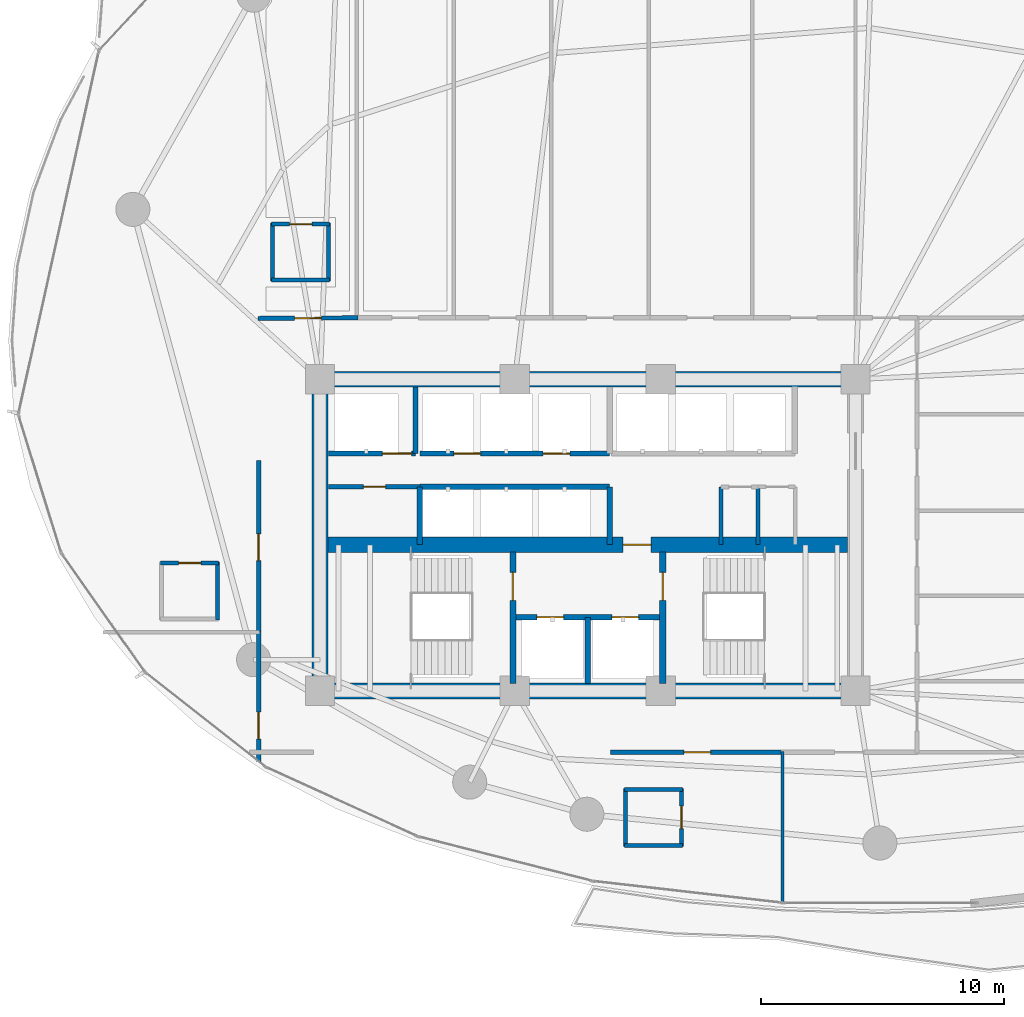
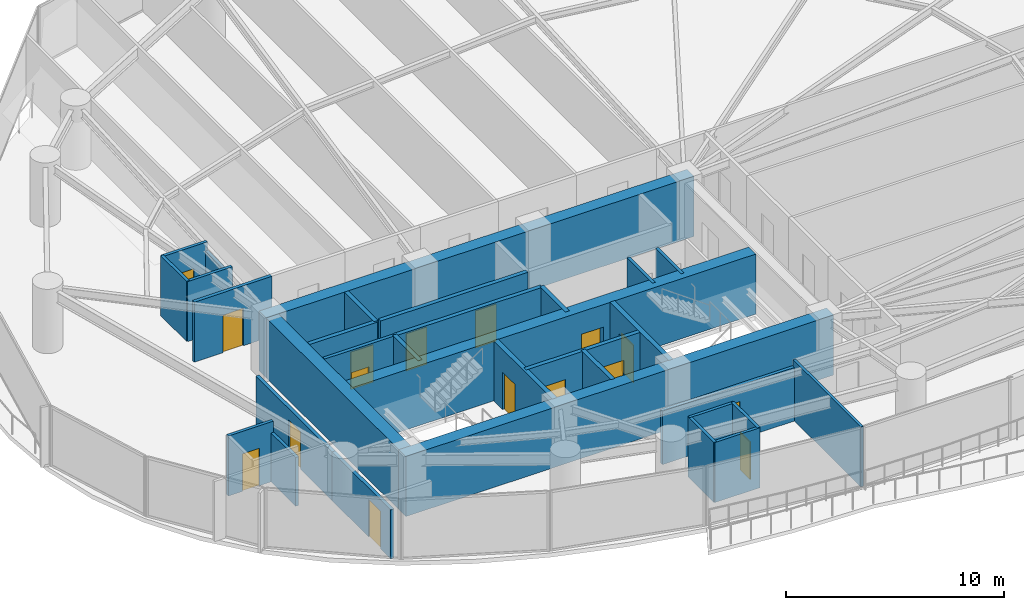
# One storey, part 26 of 33: 32 walls, 16 doors, 16 openings.
"""IFC4 building model written with IfcOpenShell, lengths in metres."""

import ifcopenshell
import ifcopenshell.guid

model = None  # the IFC model being written
_history = None  # IfcOwnerHistory: only IFC2X3 demands one
_inside = {}  # id of a spatial element -> (the spatial element, [elements in it])
_under = {}  # id of a project, library or spatial element -> (it, [spatial elements below it])
_declared = {}  # id of a project -> (the project, [libraries it declares])
_typed = {}  # id of a type object -> (the type object, [elements of that type])
_made_of = {}  # id of a material, layer set ... -> (it, [elements and type objects made of it])


def new_model(schema):
    """Start an empty IFC model of exactly this schema.

    Asked for "IFC4X3", IfcOpenShell would pick the latest addendum, in which some entities
    have other attributes; the version numbers below select the first issue.
    IFC2X3 requires an IfcOwnerHistory on every rooted entity: one is made here for all.
    """
    global model, _history
    if schema == "IFC4X3":
        model = ifcopenshell.file(schema_version=(4, 3, 0, 0))
    else:
        model = ifcopenshell.file(schema=schema)
    _inside.clear()
    _under.clear()
    _declared.clear()
    _typed.clear()
    _made_of.clear()
    _history = None
    if model.schema == "IFC2X3":
        org = make("IfcOrganization", Name="unknown")
        user = make(
            "IfcPersonAndOrganization",
            ThePerson=make("IfcPerson", FamilyName="unknown"),
            TheOrganization=org,
        )
        app = make(
            "IfcApplication",
            ApplicationDeveloper=org,
            Version="unknown",
            ApplicationFullName="unknown",
            ApplicationIdentifier="unknown",
        )
        _history = make(
            "IfcOwnerHistory",
            OwningUser=user,
            OwningApplication=app,
            ChangeAction="ADDED",
            CreationDate=0,
        )
    return model


def make(cls, **values):
    """One entity of the class cls with the attributes given. An attribute that is None is left unset."""
    return model.create_entity(
        cls, **{name: value for name, value in values.items() if value is not None}
    )


def rooted(cls, **values):
    """An entity with a GlobalId (a new one), such as an element, a storey or a relation."""
    return make(cls, GlobalId=ifcopenshell.guid.new(), OwnerHistory=_history, **values)


def si_unit(unit_type, name, prefix=None):
    """IfcSIUnit, for example si_unit("LENGTHUNIT", "METRE", prefix="MILLI")."""
    return make("IfcSIUnit", UnitType=unit_type, Prefix=prefix, Name=name)


def assignment(units):
    """IfcUnitAssignment: the units of a project."""
    return None if units is None else make("IfcUnitAssignment", Units=units)


def point(xyz):
    """IfcCartesianPoint."""
    return None if xyz is None else make("IfcCartesianPoint", Coordinates=xyz)


def direction(xyz):
    """IfcDirection."""
    return None if xyz is None else make("IfcDirection", DirectionRatios=xyz)


def frame(location, z_axis=None, x_axis=None):
    """IfcAxis2Placement3D, a coordinate frame: its origin and axes. An axis left out is left unset."""
    return make(
        "IfcAxis2Placement3D",
        Location=point(location),
        Axis=direction(z_axis),
        RefDirection=direction(x_axis),
    )


def frame_2d(location, x_axis=None):
    """IfcAxis2Placement2D, a coordinate frame in the plane: its origin and x axis."""
    return make(
        "IfcAxis2Placement2D", Location=point(location), RefDirection=direction(x_axis)
    )


def origin():
    """The frame at (0, 0, 0) with its axes left unset."""
    return frame((0.0, 0.0, 0.0))


def place(relative_to, where):
    """IfcLocalPlacement: puts the frame where relative to a parent placement (None: the world)."""
    return make(
        "IfcLocalPlacement", PlacementRelTo=relative_to, RelativePlacement=where
    )


def context(
    kind, dimensions, precision=None, world=None, true_north=None, identifier=None
):
    """IfcGeometricRepresentationContext, for example the 3D "Model" context."""
    return make(
        "IfcGeometricRepresentationContext",
        ContextIdentifier=identifier,
        ContextType=kind,
        CoordinateSpaceDimension=dimensions,
        Precision=precision,
        WorldCoordinateSystem=world,
        TrueNorth=true_north,
    )


def subcontext(parent, identifier, kind, view, scale=None):
    """IfcGeometricRepresentationSubContext, for example "Body" below "Model"."""
    return make(
        "IfcGeometricRepresentationSubContext",
        ContextIdentifier=identifier,
        ContextType=kind,
        ParentContext=parent,
        TargetScale=scale,
        TargetView=view,
    )


def project(units=None, contexts=None):
    """IfcProject with its units and contexts."""
    return rooted(
        "IfcProject",
        Name="project",
        RepresentationContexts=contexts,
        UnitsInContext=assignment(units),
    )


def spatial(cls, under=None, at=None, **own):
    """A site, building, storey or space (cls), placed at a placement, below another one or the project."""
    s = rooted(cls, ObjectPlacement=at, **own)
    if under is not None:
        _under.setdefault(under.id(), (under, []))[1].append(s)
    return s


def profile(cls, at=None, kind="AREA", **sizes):
    """A parametric profile (cls). Its sizes go by their IFC names, for example OverallWidth=200.0."""
    return make(cls, ProfileType=kind, Position=at, **sizes)


def rectangle(**sizes):
    """IfcRectangleProfileDef."""
    return profile("IfcRectangleProfileDef", **sizes)


def extrude(swept, where, along, depth):
    """IfcExtrudedAreaSolid: the profile swept, set in the frame where, extruded along a direction by depth."""
    return make(
        "IfcExtrudedAreaSolid",
        SweptArea=swept,
        Position=where,
        ExtrudedDirection=direction(along),
        Depth=depth,
    )


def shape(context_of_items, identifier, shape_type, items):
    """IfcShapeRepresentation: the items that make up one representation, for example the "Body"."""
    return make(
        "IfcShapeRepresentation",
        ContextOfItems=context_of_items,
        RepresentationIdentifier=identifier,
        RepresentationType=shape_type,
        Items=items,
    )


def material(Name=None, Category=None):
    """IfcMaterial."""
    return make("IfcMaterial", Name=Name, Category=Category)


def layer(
    of_material, thickness, ventilated=None, Name=None, Category=None, Priority=None
):
    """IfcMaterialLayer: one layer of a wall or slab, of a material (None: an air gap)."""
    return make(
        "IfcMaterialLayer",
        Material=of_material,
        LayerThickness=thickness,
        IsVentilated=ventilated,
        Name=Name,
        Category=Category,
        Priority=Priority,
    )


def layer_set(layers, Name=None):
    """IfcMaterialLayerSet."""
    return make("IfcMaterialLayerSet", MaterialLayers=layers, LayerSetName=Name)


def made_of(thing, what):
    """Note that an element or type object is made of a material, layer set ...; save() writes the relation."""
    if what is not None:
        _made_of.setdefault(what.id(), (what, []))[1].append(thing)
    return thing


def type_object(cls, material=None, **own):
    """A type object (cls), such as IfcWallType, which elements share."""
    return made_of(rooted(cls, **own), material)


def element(
    cls,
    number,
    at=None,
    inside=None,
    cuts=None,
    type_object=None,
    material=None,
    context=None,
    identifier="Body",
    shape_type=None,
    held_by="IfcProductDefinitionShape",
    body=None,
    shapes=None,
    **own,
):
    """One element of the class cls, such as IfcWall. Its Tag is "e" and its number.

    at: its placement. inside: the storey or other place that contains it. cuts: it is an
    opening in that element (IfcRelVoidsElement). A single representation is given by context,
    identifier, shape_type and body (its items); several are given by shapes. held_by: the class
    of the entity that holds the representations. save() writes the other relations.
    """
    e = rooted(cls, Tag="e%d" % number, ObjectPlacement=at, **own)
    if body is not None:
        shapes = [shape(context, identifier, shape_type, body)]
    if shapes is not None:
        e.Representation = make(held_by, Representations=shapes)
    if inside is not None:
        _inside.setdefault(inside.id(), (inside, []))[1].append(e)
    if cuts is not None:
        rooted(
            "IfcRelVoidsElement", RelatingBuildingElement=cuts, RelatedOpeningElement=e
        )
    if type_object is not None:
        _typed.setdefault(type_object.id(), (type_object, []))[1].append(e)
    return made_of(e, material)


def fill(opening, filler):
    """IfcRelFillsElement: the door or window that sits in an opening."""
    return rooted(
        "IfcRelFillsElement",
        RelatingOpeningElement=opening,
        RelatedBuildingElement=filler,
    )


def aggregate(whole, parts):
    """IfcRelAggregates: a whole, such as a stair, and the parts it consists of."""
    return rooted("IfcRelAggregates", RelatingObject=whole, RelatedObjects=parts)


def save(model, path):
    """Write the relations noted so far, then the file.

    IfcRelAggregates (storeys below a building ...), IfcRelContainedInSpatialStructure (elements
    in a storey), IfcRelDefinesByType, IfcRelAssociatesMaterial and IfcRelDeclares: one each for
    every whole, place, type object, material and project.
    """
    for whole, parts in _under.values():
        aggregate(whole, parts)
    for where, things in _inside.values():
        rooted(
            "IfcRelContainedInSpatialStructure",
            RelatedElements=things,
            RelatingStructure=where,
        )
    for kind, things in _typed.values():
        rooted("IfcRelDefinesByType", RelatedObjects=things, RelatingType=kind)
    for what, things in _made_of.values():
        rooted("IfcRelAssociatesMaterial", RelatedObjects=things, RelatingMaterial=what)
    for by, libraries in _declared.values():
        rooted("IfcRelDeclares", RelatingContext=by, RelatedDefinitions=libraries)
    model.write(path)


model = new_model("IFC4")

# Units and contexts
model_context = context("Model", 3, precision=1e-05, world=origin(), true_north=direction((0.0, 1.0)))
body_context = subcontext(model_context, "Body", "Model", "MODEL_VIEW")
ifc_project = project(units=[si_unit("LENGTHUNIT", "METRE"), si_unit("AREAUNIT", "SQUARE_METRE"), si_unit("VOLUMEUNIT", "CUBIC_METRE"), si_unit("PLANEANGLEUNIT", "RADIAN"), si_unit("MASSUNIT", "GRAM", prefix="KILO")], contexts=[model_context])

# Site, building, storey
site_placement = place(None, origin())
site = spatial("IfcSite", under=ifc_project, at=site_placement, CompositionType="ELEMENT")
building_placement = place(site_placement, origin())
building = spatial("IfcBuilding", under=site, at=building_placement, Name="Kazevale Care Tower and Concert Hall", CompositionType="ELEMENT")
storey_placement = place(building_placement, frame((0.0, 0.0, 31.199951171875)))
storey = spatial("IfcBuildingStorey", under=building, at=storey_placement, Name="L07", CompositionType="ELEMENT", Elevation=31.199951171875)

# Walls
ifc_material_1 = material(Name="Acoustic Gypsum on Steel Stud", Category="steel")
ifc_layer_1 = layer(ifc_material_1, 0.139892578125)
ifc_layer_set_1 = layer_set([ifc_layer_1], Name="Acoustic Gypsum on Steel Stud")
wall_type_1 = type_object("IfcWallType", Name="Acoustic Care & Suite Partition 140", PredefinedType="PARTITIONING", material=ifc_layer_set_1)
wall_1_placement = place(storey_placement, frame((41.0, 21.10498046875, 0.0), z_axis=(0.0, 0.0, 1.0), x_axis=(0.0, -1.0, 0.0)))
element("IfcWall", 1, at=wall_1_placement, inside=storey, type_object=wall_type_1, Name="wall:L07:auto_030", PredefinedType="PARTITIONING", context=body_context, shape_type="SweptSolid", body=[
    extrude(rectangle(XDim=6.204833984375, YDim=0.139892578125, at=frame_2d((3.1025390625, 0.0))), origin(), (0.0, 0.0, 1.0), 3.360107421875),
])
ifc_material_2 = material(Name="Concrete C70", Category="concrete")
ifc_layer_2 = layer(ifc_material_2, 0.64990234375)
ifc_layer_set_2 = layer_set([ifc_layer_2], Name="Concrete C70")
wall_type_2 = type_object("IfcWallType", Name="Core Shear Wall 650 C70", PredefinedType="SHEAR", material=ifc_layer_set_2)
for number, where, z_axis, x_axis, name in (
    (2, (21.675048828125, 23.60009765625, 0.0), (0.0, 0.0, 1.0), (1.0, 0.0, 0.0), "wall:L07:core:S"),
    (3, (21.675048828125, 36.39990234375, 0.0), (0.0, 0.0, 1.0), (1.0, 0.0, 0.0), "wall:L07:core:N"),
):
    element("IfcWall", number, at=place(storey_placement, frame(where, z_axis=z_axis, x_axis=x_axis)), inside=storey, type_object=wall_type_2, Name=name, PredefinedType="SHEAR", context=body_context, shape_type="SweptSolid", body=[
        extrude(rectangle(XDim=22.64990234375, YDim=0.64990234375, at=frame_2d((11.324951171875, 0.0))), origin(), (0.0, 0.0, 1.0), 3.360107421875),
    ])
wall_2_placement = place(storey_placement, frame((22.0, 23.925048828125, 0.0), z_axis=(0.0, 0.0, 1.0), x_axis=(0.0, 1.0, 0.0)))
element("IfcWall", 4, at=wall_2_placement, inside=storey, type_object=wall_type_2, Name="wall:L07:core:W", PredefinedType="SHEAR", context=body_context, shape_type="SweptSolid", body=[
    extrude(rectangle(XDim=12.14990234375, YDim=0.64990234375, at=frame_2d((6.074951171875, 0.0))), origin(), (0.0, 0.0, 1.0), 3.360107421875),
])

# Wall, opening, door
wall_3_placement = place(storey_placement, frame((22.324951171875, 29.60009765625, 0.0), z_axis=(0.0, 0.0, 1.0), x_axis=(1.0, 0.0, 0.0)))
wall_3 = element("IfcWall", 5, at=wall_3_placement, inside=storey, type_object=wall_type_2, Name="wall:L07:core:M", PredefinedType="SHEAR", context=body_context, shape_type="SweptSolid", body=[
    extrude(rectangle(XDim=21.35009765625, YDim=0.64990234375, at=frame_2d((10.675048828125, 0.0))), origin(), (0.0, 0.0, 1.0), 3.360107421875),
])
opening_1_placement = place(wall_3_placement, frame((12.125, 0.0, 0.0)))
opening_1 = element("IfcOpeningElement", 6, at=opening_1_placement, cuts=wall_3, Name="Opening FD-90", PredefinedType="OPENING", context=body_context, shape_type="SweptSolid", body=[
    extrude(rectangle(XDim=1.14990234375, YDim=2.10009765625, at=frame_2d((0.574951171875, 1.050048828125))), frame((0.0, 0.3349609375, 0.0), z_axis=(0.0, -1.0, 0.0), x_axis=(1.0, 0.0, 0.0)), (0.0, 0.0, 1.0), 0.669921875),
])
ifc_material_3 = material(Name="Steel ASTM A572 Gr 50", Category="steel")
door_type_1 = type_object("IfcDoorType", Name="Pressurized Stair & Lobby Fire Door 1150x2100", OperationType="NOTDEFINED", PredefinedType="DOOR", material=ifc_material_3)
door_1_placement = place(opening_1_placement, origin())
door_1 = element("IfcDoor", 7, at=door_1_placement, inside=storey, type_object=door_type_1, Name="door:L07:ff_to_pax", OperationType="SINGLE_SWING_LEFT", OverallHeight=2.10009765625, OverallWidth=1.14990234375, PredefinedType="DOOR", context=body_context, shape_type="SweptSolid", body=[
    extrude(rectangle(XDim=1.14990234375, YDim=2.10009765625, at=frame_2d((0.574951171875, 1.050048828125))), frame((0.0, 0.02490234375, 0.0), z_axis=(0.0, -1.0, 0.0), x_axis=(1.0, 0.0, 0.0)), (0.0, 0.0, 1.0), 0.050048828125),
])
fill(opening_1, door_1)

# Wall, openings, doors
ifc_material_4 = material(Name="Concrete C40", Category="concrete")
ifc_layer_3 = layer(ifc_material_4, 0.219970703125)
ifc_layer_set_3 = layer_set([ifc_layer_3], Name="Concrete C40")
wall_type_3 = type_object("IfcWallType", Name="Elevator Hoistway Shaft Wall 220", PredefinedType="SOLIDWALL", material=ifc_layer_set_3)
wall_4_placement = place(storey_placement, frame((29.919921875, 26.6201171875, 0.0), z_axis=(0.0, 0.0, 1.0), x_axis=(1.0, 0.0, 0.0)))
wall_4 = element("IfcWall", 8, at=wall_4_placement, inside=storey, type_object=wall_type_3, Name="wall:L07:c_ffl_n", PredefinedType="SOLIDWALL", context=body_context, shape_type="SweptSolid", body=[
    extrude(rectangle(XDim=6.16015625, YDim=0.219970703125, at=frame_2d((3.080078125, 0.0))), origin(), (0.0, 0.0, 1.0), 3.360107421875),
])
opening_2_placement = place(wall_4_placement, frame((0.989990234375, 0.0, 0.0)))
opening_2 = element("IfcOpeningElement", 9, at=opening_2_placement, cuts=wall_4, Name="Opening LD-FF", PredefinedType="OPENING", context=body_context, shape_type="SweptSolid", body=[
    extrude(rectangle(XDim=1.10009765625, YDim=2.10009765625, at=frame_2d((0.550048828125, 1.050048828125))), frame((0.0, 0.119873046875, 0.0), z_axis=(0.0, -1.0, 0.0), x_axis=(1.0, 0.0, 0.0)), (0.0, 0.0, 1.0), 0.239990234375),
])
opening_3_placement = place(wall_4_placement, frame((4.070068359375, 0.0, 0.0)))
opening_3 = element("IfcOpeningElement", 10, at=opening_3_placement, cuts=wall_4, Name="Opening LD-FF", PredefinedType="OPENING", context=body_context, shape_type="SweptSolid", body=[
    extrude(rectangle(XDim=1.10009765625, YDim=2.10009765625, at=frame_2d((0.550048828125, 1.050048828125))), frame((0.0, 0.119873046875, 0.0), z_axis=(0.0, -1.0, 0.0), x_axis=(1.0, 0.0, 0.0)), (0.0, 0.0, 1.0), 0.239990234375),
])
ifc_material_5 = material(Name="Stainless Steel 316", Category="steel")
door_type_2 = type_object("IfcDoorType", Name="Emergency Lift Sliding Landing Door 1100x2100", OperationType="NOTDEFINED", PredefinedType="DOOR", material=ifc_material_5)
door_2_placement = place(opening_2_placement, origin())
door_2 = element("IfcDoor", 11, at=door_2_placement, inside=storey, type_object=door_type_2, Name="door:L07:ld_ffl1", OperationType="SLIDING_TO_LEFT", OverallHeight=2.10009765625, OverallWidth=1.10009765625, PredefinedType="DOOR", context=body_context, shape_type="SweptSolid", body=[
    extrude(rectangle(XDim=1.10009765625, YDim=2.10009765625, at=frame_2d((0.550048828125, 1.050048828125))), frame((0.0, 0.02490234375, 0.0), z_axis=(0.0, -1.0, 0.0), x_axis=(1.0, 0.0, 0.0)), (0.0, 0.0, 1.0), 0.050048828125),
])
fill(opening_2, door_2)
door_3_placement = place(opening_3_placement, origin())
door_3 = element("IfcDoor", 12, at=door_3_placement, inside=storey, type_object=door_type_2, Name="door:L07:ld_ffl2", OperationType="SLIDING_TO_RIGHT", OverallHeight=2.10009765625, OverallWidth=1.10009765625, PredefinedType="DOOR", context=body_context, shape_type="SweptSolid", body=[
    extrude(rectangle(XDim=1.10009765625, YDim=2.10009765625, at=frame_2d((0.550048828125, 1.050048828125))), frame((0.0, 0.02490234375, 0.0), z_axis=(0.0, -1.0, 0.0), x_axis=(1.0, 0.0, 0.0)), (0.0, 0.0, 1.0), 0.050048828125),
])
fill(opening_3, door_3)

# Walls
wall_5_placement = place(storey_placement, frame((33.0, 23.89990234375, 0.0), z_axis=(0.0, 0.0, 1.0), x_axis=(0.0, 1.0, 0.0)))
element("IfcWall", 13, at=wall_5_placement, inside=storey, type_object=wall_type_3, Name="wall:L07:c_ffl_m", PredefinedType="SOLIDWALL", context=body_context, shape_type="SweptSolid", body=[
    extrude(rectangle(XDim=2.72021484375, YDim=0.219970703125, at=frame_2d((1.360107421875, 0.0))), origin(), (0.0, 0.0, 1.0), 3.360107421875),
])
wall_6_placement = place(storey_placement, frame((25.919921875, 33.35009765625, 0.0), z_axis=(0.0, 0.0, 1.0), x_axis=(0.0, 1.0, 0.0)))
element("IfcWall", 14, at=wall_6_placement, inside=storey, type_object=wall_type_3, Name="wall:L07:c_svl_e", PredefinedType="SOLIDWALL", context=body_context, shape_type="SweptSolid", body=[
    extrude(rectangle(XDim=2.72998046875, YDim=0.219970703125, at=frame_2d((1.364990234375, 0.0))), origin(), (0.0, 0.0, 1.0), 3.360107421875),
])

# Wall, opening, door
wall_7_placement = place(storey_placement, frame((22.35009765625, 33.35009765625, 0.0), z_axis=(0.0, 0.0, 1.0), x_axis=(1.0, 0.0, 0.0)))
wall_7 = element("IfcWall", 15, at=wall_7_placement, inside=storey, type_object=wall_type_3, Name="wall:L07:c_svl_s", PredefinedType="SOLIDWALL", context=body_context, shape_type="SweptSolid", body=[
    extrude(rectangle(XDim=3.56982421875, YDim=0.219970703125, at=frame_2d((1.784912109375, 0.0))), origin(), (0.0, 0.0, 1.0), 3.360107421875),
])
opening_4_placement = place(wall_7_placement, frame((2.212890625, 0.0, 0.0)))
opening_4 = element("IfcOpeningElement", 16, at=opening_4_placement, cuts=wall_7, Name="Opening LD-SV", PredefinedType="OPENING", context=body_context, shape_type="SweptSolid", body=[
    extrude(rectangle(XDim=1.199951171875, YDim=2.10009765625, at=frame_2d((0.60009765625, 1.050048828125))), frame((0.0, 0.119873046875, 0.0), z_axis=(0.0, -1.0, 0.0), x_axis=(1.0, 0.0, 0.0)), (0.0, 0.0, 1.0), 0.239990234375),
])
door_type_3 = type_object("IfcDoorType", Name="Service Lift Sliding Landing Door 1200x2100", OperationType="NOTDEFINED", PredefinedType="DOOR", material=ifc_material_5)
door_4_placement = place(opening_4_placement, origin())
door_4 = element("IfcDoor", 17, at=door_4_placement, inside=storey, type_object=door_type_3, Name="door:L07:ld_svl1", OperationType="SLIDING_TO_LEFT", OverallHeight=2.10009765625, OverallWidth=1.199951171875, PredefinedType="DOOR", context=body_context, shape_type="SweptSolid", body=[
    extrude(rectangle(XDim=1.199951171875, YDim=2.10009765625, at=frame_2d((0.60009765625, 1.050048828125))), frame((0.0, 0.02490234375, 0.0), z_axis=(0.0, -1.0, 0.0), x_axis=(1.0, 0.0, 0.0)), (0.0, 0.0, 1.0), 0.050048828125),
])
fill(opening_4, door_4)

# Walls
wall_8_placement = place(storey_placement, frame((26.10009765625, 29.6201171875, 0.0), z_axis=(0.0, 0.0, 1.0), x_axis=(0.0, 1.0, 0.0)))
element("IfcWall", 18, at=wall_8_placement, inside=storey, type_object=wall_type_3, Name="wall:L07:c_ph_w", PredefinedType="SOLIDWALL", context=body_context, shape_type="SweptSolid", body=[
    extrude(rectangle(XDim=2.35986328125, YDim=0.219970703125, at=frame_2d((1.179931640625, 0.0))), origin(), (0.0, 0.0, 1.0), 3.360107421875),
])
wall_9_placement = place(storey_placement, frame((26.10009765625, 31.97998046875, 0.0), z_axis=(0.0, 0.0, 1.0), x_axis=(1.0, 0.0, 0.0)))
element("IfcWall", 19, at=wall_9_placement, inside=storey, type_object=wall_type_3, Name="wall:L07:c_ph_n", PredefinedType="SOLIDWALL", context=body_context, shape_type="SweptSolid", body=[
    extrude(rectangle(XDim=7.7998046875, YDim=0.219970703125, at=frame_2d((3.89990234375, 0.0))), origin(), (0.0, 0.0, 1.0), 3.360107421875),
])
wall_10_placement = place(storey_placement, frame((33.89990234375, 29.6201171875, 0.0), z_axis=(0.0, 0.0, 1.0), x_axis=(0.0, 1.0, 0.0)))
element("IfcWall", 20, at=wall_10_placement, inside=storey, type_object=wall_type_3, Name="wall:L07:c_ph_e", PredefinedType="SOLIDWALL", context=body_context, shape_type="SweptSolid", body=[
    extrude(rectangle(XDim=2.35986328125, YDim=0.219970703125, at=frame_2d((1.179931640625, 0.0))), origin(), (0.0, 0.0, 1.0), 3.360107421875),
])

# Wall, openings, doors
wall_11_placement = place(storey_placement, frame((26.10009765625, 33.35009765625, 0.0), z_axis=(0.0, 0.0, 1.0), x_axis=(1.0, 0.0, 0.0)))
wall_11 = element("IfcWall", 21, at=wall_11_placement, inside=storey, type_object=wall_type_3, Name="wall:L07:c_pl_s", PredefinedType="SOLIDWALL", context=body_context, shape_type="SweptSolid", body=[
    extrude(rectangle(XDim=7.7998046875, YDim=0.219970703125, at=frame_2d((3.89990234375, 0.0))), origin(), (0.0, 0.0, 1.0), 3.360107421875),
])
opening_5_placement = place(wall_11_placement, frame((1.39990234375, 0.0, 0.0)))
opening_5 = element("IfcOpeningElement", 22, at=opening_5_placement, cuts=wall_11, Name="Opening LD-PAX", PredefinedType="OPENING", context=body_context, shape_type="SweptSolid", body=[
    extrude(rectangle(XDim=1.10009765625, YDim=2.10009765625, at=frame_2d((0.550048828125, 1.050048828125))), frame((0.0, 0.119873046875, 0.0), z_axis=(0.0, -1.0, 0.0), x_axis=(1.0, 0.0, 0.0)), (0.0, 0.0, 1.0), 0.239990234375),
])
opening_6_placement = place(wall_11_placement, frame((5.06591796875, 0.0, 0.0)))
opening_6 = element("IfcOpeningElement", 23, at=opening_6_placement, cuts=wall_11, Name="Opening LD-PAX", PredefinedType="OPENING", context=body_context, shape_type="SweptSolid", body=[
    extrude(rectangle(XDim=1.10009765625, YDim=2.10009765625, at=frame_2d((0.550048828125, 1.050048828125))), frame((0.0, 0.119873046875, 0.0), z_axis=(0.0, -1.0, 0.0), x_axis=(1.0, 0.0, 0.0)), (0.0, 0.0, 1.0), 0.239990234375),
])
door_type_4 = type_object("IfcDoorType", Name="Passenger Lift Sliding Landing Door 1100x2100", OperationType="NOTDEFINED", PredefinedType="DOOR", material=ifc_material_5)
door_5_placement = place(opening_5_placement, origin())
door_5 = element("IfcDoor", 24, at=door_5_placement, inside=storey, type_object=door_type_4, Name="door:L07:ld_pl1", OperationType="SLIDING_TO_LEFT", OverallHeight=2.10009765625, OverallWidth=1.10009765625, PredefinedType="DOOR", context=body_context, shape_type="SweptSolid", body=[
    extrude(rectangle(XDim=1.10009765625, YDim=2.10009765625, at=frame_2d((0.550048828125, 1.050048828125))), frame((0.0, 0.02490234375, 0.0), z_axis=(0.0, -1.0, 0.0), x_axis=(1.0, 0.0, 0.0)), (0.0, 0.0, 1.0), 0.050048828125),
])
fill(opening_5, door_5)
door_6_placement = place(opening_6_placement, origin())
door_6 = element("IfcDoor", 25, at=door_6_placement, inside=storey, type_object=door_type_4, Name="door:L07:ld_pl2", OperationType="SLIDING_TO_RIGHT", OverallHeight=2.10009765625, OverallWidth=1.10009765625, PredefinedType="DOOR", context=body_context, shape_type="SweptSolid", body=[
    extrude(rectangle(XDim=1.10009765625, YDim=2.10009765625, at=frame_2d((0.550048828125, 1.050048828125))), frame((0.0, 0.02490234375, 0.0), z_axis=(0.0, -1.0, 0.0), x_axis=(1.0, 0.0, 0.0)), (0.0, 0.0, 1.0), 0.050048828125),
])
fill(opening_6, door_6)

# Wall, opening, door
ifc_material_6 = material(Name="Concrete C40 and Acoustic Gypsum", Category="concrete")
ifc_layer_4 = layer(ifc_material_6, 0.179931640625)
ifc_layer_set_4 = layer_set([ifc_layer_4], Name="Concrete C40 and Acoustic Gypsum")
wall_type_4 = type_object("IfcWallType", Name="Fire-Rated Corridor & Party Wall 180", PredefinedType="PARTITIONING", material=ifc_layer_set_4)
wall_12_placement = place(storey_placement, frame((22.35009765625, 31.97998046875, 0.0), z_axis=(0.0, 0.0, 1.0), x_axis=(1.0, 0.0, 0.0)))
wall_12 = element("IfcWall", 26, at=wall_12_placement, inside=storey, type_object=wall_type_4, Name="wall:L07:ka_wn1", PredefinedType="PARTITIONING", context=body_context, shape_type="SweptSolid", body=[
    extrude(rectangle(XDim=3.75, YDim=0.179931640625, at=frame_2d((1.875, 0.0))), origin(), (0.0, 0.0, 1.0), 3.360107421875),
])
opening_7_placement = place(wall_12_placement, frame((1.425048828125, 0.0, 0.0)))
opening_7 = element("IfcOpeningElement", 27, at=opening_7_placement, cuts=wall_12, Name="Opening ID-900", PredefinedType="OPENING", context=body_context, shape_type="SweptSolid", body=[
    extrude(rectangle(XDim=0.919921875, YDim=2.10009765625, at=frame_2d((0.4599609375, 1.050048828125))), frame((0.0, 0.099853515625, 0.0), z_axis=(0.0, -1.0, 0.0), x_axis=(1.0, 0.0, 0.0)), (0.0, 0.0, 1.0), 0.199951171875),
])
ifc_material_7 = material(Name="Oak Timber Fire Leaf", Category="wood")
door_type_5 = type_object("IfcDoorType", Name="Bathroom & Service Door 920x2100", OperationType="NOTDEFINED", PredefinedType="DOOR", material=ifc_material_7)
door_7_placement = place(opening_7_placement, origin())
door_7 = element("IfcDoor", 28, at=door_7_placement, inside=storey, type_object=door_type_5, Name="door:L07:d_kaw", OperationType="SINGLE_SWING_LEFT", OverallHeight=2.10009765625, OverallWidth=0.919921875, PredefinedType="DOOR", context=body_context, shape_type="SweptSolid", body=[
    extrude(rectangle(XDim=0.919921875, YDim=2.10009765625, at=frame_2d((0.4599609375, 1.050048828125))), frame((0.0, 0.02490234375, 0.0), z_axis=(0.0, -1.0, 0.0), x_axis=(1.0, 0.0, 0.0)), (0.0, 0.0, 1.0), 0.050048828125),
])
fill(opening_7, door_7)

wall_13_placement = place(storey_placement, frame((19.445068359375, 38.89990234375, 0.0), z_axis=(0.0, 0.0, 1.0), x_axis=(0.999981372921, 0.00610359001, 0.0)))
wall_13 = element("IfcWall", 29, at=wall_13_placement, inside=storey, type_object=wall_type_4, Name="wall:L07:auto_001", PredefinedType="PARTITIONING", context=body_context, shape_type="SweptSolid", body=[
    extrude(rectangle(XDim=4.119873046875, YDim=0.179931640625, at=frame_2d((2.06005859375, 0.0))), origin(), (0.0, 0.0, 1.0), 3.360107421875),
])
opening_8_placement = place(wall_13_placement, frame((1.510009765625, 0.0, 0.0)))
opening_8 = element("IfcOpeningElement", 30, at=opening_8_placement, cuts=wall_13, Name="Opening ID-1100", PredefinedType="OPENING", context=body_context, shape_type="SweptSolid", body=[
    extrude(rectangle(XDim=1.10009765625, YDim=2.10009765625, at=frame_2d((0.550048828125, 1.050048828125))), frame((0.0, 0.099853515625, 0.0), z_axis=(0.0, -1.0, 0.0), x_axis=(1.0, 0.0, 0.0)), (0.0, 0.0, 1.0), 0.199951171875),
])
door_type_6 = type_object("IfcDoorType", Name="Care Bedroom Accessible Door 1100x2100", OperationType="NOTDEFINED", PredefinedType="DOOR", material=ifc_material_7)
door_8_placement = place(opening_8_placement, origin())
door_8 = element("IfcDoor", 31, at=door_8_placement, inside=storey, type_object=door_type_6, Name="door:L07:ad_001", OperationType="SINGLE_SWING_LEFT", OverallHeight=2.10009765625, OverallWidth=1.10009765625, PredefinedType="DOOR", context=body_context, shape_type="SweptSolid", body=[
    extrude(rectangle(XDim=1.10009765625, YDim=2.10009765625, at=frame_2d((0.550048828125, 1.050048828125))), frame((0.0, 0.02490234375, 0.0), z_axis=(0.0, -1.0, 0.0), x_axis=(1.0, 0.0, 0.0)), (0.0, 0.0, 1.0), 0.050048828125),
])
fill(opening_8, door_8)

wall_14_placement = place(storey_placement, frame((41.06494140625, 21.074951171875, 0.0), z_axis=(0.0, 0.0, 1.0), x_axis=(-1.0, 0.0, 0.0)))
wall_14 = element("IfcWall", 32, at=wall_14_placement, inside=storey, type_object=wall_type_4, Name="wall:L07:auto_013", PredefinedType="PARTITIONING", context=body_context, shape_type="SweptSolid", body=[
    extrude(rectangle(XDim=7.1298828125, YDim=0.179931640625, at=frame_2d((3.56494140625, 0.0))), origin(), (0.0, 0.0, 1.0), 2.99609375),
])
opening_9_placement = place(wall_14_placement, frame((3.014892578125, 0.0, 0.0)))
opening_9 = element("IfcOpeningElement", 33, at=opening_9_placement, cuts=wall_14, Name="Opening ID-1100", PredefinedType="OPENING", context=body_context, shape_type="SweptSolid", body=[
    extrude(rectangle(XDim=1.10009765625, YDim=2.10009765625, at=frame_2d((0.550048828125, 1.050048828125))), frame((0.0, 0.099853515625, 0.0), z_axis=(0.0, -1.0, 0.0), x_axis=(1.0, 0.0, 0.0)), (0.0, 0.0, 1.0), 0.199951171875),
])
door_9_placement = place(opening_9_placement, origin())
door_9 = element("IfcDoor", 34, at=door_9_placement, inside=storey, type_object=door_type_6, Name="door:L07:ad_013", OperationType="SINGLE_SWING_LEFT", OverallHeight=2.10009765625, OverallWidth=1.10009765625, PredefinedType="DOOR", context=body_context, shape_type="SweptSolid", body=[
    extrude(rectangle(XDim=1.10009765625, YDim=2.10009765625, at=frame_2d((0.550048828125, 1.050048828125))), frame((0.0, 0.02490234375, 0.0), z_axis=(0.0, -1.0, 0.0), x_axis=(1.0, 0.0, 0.0)), (0.0, 0.0, 1.0), 0.050048828125),
])
fill(opening_9, door_9)

wall_15_placement = place(storey_placement, frame((19.47509765625, 20.695068359375, 0.0), z_axis=(0.0, 0.0, 1.0), x_axis=(0.0, 1.0, 0.0)))
wall_15 = element("IfcWall", 35, at=wall_15_placement, inside=storey, type_object=wall_type_4, Name="wall:L07:auto_015", PredefinedType="PARTITIONING", context=body_context, shape_type="SweptSolid", body=[
    extrude(rectangle(XDim=5.369873046875, YDim=0.179931640625, at=frame_2d((2.68505859375, 0.0))), origin(), (0.0, 0.0, 1.0), 2.738037109375),
])
opening_10_placement = place(wall_15_placement, frame((0.93505859375, 0.0, 0.0)))
opening_10 = element("IfcOpeningElement", 36, at=opening_10_placement, cuts=wall_15, Name="Opening ID-1100", PredefinedType="OPENING", context=body_context, shape_type="SweptSolid", body=[
    extrude(rectangle(XDim=1.10009765625, YDim=2.10009765625, at=frame_2d((0.550048828125, 1.050048828125))), frame((0.0, 0.099853515625, 0.0), z_axis=(0.0, -1.0, 0.0), x_axis=(1.0, 0.0, 0.0)), (0.0, 0.0, 1.0), 0.199951171875),
])
door_10_placement = place(opening_10_placement, origin())
door_10 = element("IfcDoor", 37, at=door_10_placement, inside=storey, type_object=door_type_6, Name="door:L07:ad_015", OperationType="SINGLE_SWING_LEFT", OverallHeight=2.10009765625, OverallWidth=1.10009765625, PredefinedType="DOOR", context=body_context, shape_type="SweptSolid", body=[
    extrude(rectangle(XDim=1.10009765625, YDim=2.10009765625, at=frame_2d((0.550048828125, 1.050048828125))), frame((0.0, 0.02490234375, 0.0), z_axis=(0.0, -1.0, 0.0), x_axis=(1.0, 0.0, 0.0)), (0.0, 0.0, 1.0), 0.050048828125),
])
fill(opening_10, door_10)

wall_16_placement = place(storey_placement, frame((19.47509765625, 25.93505859375, 0.0), z_axis=(0.0, 0.0, 1.0), x_axis=(0.0, 1.0, 0.0)))
wall_16 = element("IfcWall", 38, at=wall_16_placement, inside=storey, type_object=wall_type_4, Name="wall:L07:auto_017", PredefinedType="PARTITIONING", context=body_context, shape_type="SweptSolid", body=[
    extrude(rectangle(XDim=7.1298828125, YDim=0.179931640625, at=frame_2d((3.56494140625, 0.0))), origin(), (0.0, 0.0, 1.0), 2.738037109375),
])
opening_11_placement = place(wall_16_placement, frame((3.014892578125, 0.0, 0.0)))
opening_11 = element("IfcOpeningElement", 39, at=opening_11_placement, cuts=wall_16, Name="Opening ID-1100", PredefinedType="OPENING", context=body_context, shape_type="SweptSolid", body=[
    extrude(rectangle(XDim=1.10009765625, YDim=2.10009765625, at=frame_2d((0.550048828125, 1.050048828125))), frame((0.0, 0.099853515625, 0.0), z_axis=(0.0, -1.0, 0.0), x_axis=(1.0, 0.0, 0.0)), (0.0, 0.0, 1.0), 0.199951171875),
])
door_11_placement = place(opening_11_placement, origin())
door_11 = element("IfcDoor", 40, at=door_11_placement, inside=storey, type_object=door_type_6, Name="door:L07:ad_017", OperationType="SINGLE_SWING_LEFT", OverallHeight=2.10009765625, OverallWidth=1.10009765625, PredefinedType="DOOR", context=body_context, shape_type="SweptSolid", body=[
    extrude(rectangle(XDim=1.10009765625, YDim=2.10009765625, at=frame_2d((0.550048828125, 1.050048828125))), frame((0.0, 0.02490234375, 0.0), z_axis=(0.0, -1.0, 0.0), x_axis=(1.0, 0.0, 0.0)), (0.0, 0.0, 1.0), 0.050048828125),
])
fill(opening_11, door_11)

# Walls
ifc_layer_5 = layer(ifc_material_1, 0.159912109375)
ifc_layer_set_5 = layer_set([ifc_layer_5], Name="Acoustic Gypsum on Steel Stud")
wall_type_5 = type_object("IfcWallType", Name="Moisture-Resistant Bathroom Plumbing Wall 160", PredefinedType="PLUMBINGWALL", material=ifc_layer_set_5)
for number, where, z_axis, x_axis, name in (
    (41, (38.47998046875, 29.6201171875, 0.0), (0.0, 0.0, 1.0), (0.0, 1.0, 0.0), "wall:L07:ka_ew"),
    (42, (40.0, 29.6201171875, 0.0), (0.0, 0.0, 1.0), (0.0, 1.0, 0.0), "wall:L07:ka_em"),
):
    element("IfcWall", number, at=place(storey_placement, frame(where, z_axis=z_axis, x_axis=x_axis)), inside=storey, type_object=wall_type_5, Name=name, PredefinedType="PLUMBINGWALL", context=body_context, shape_type="SweptSolid", body=[
        extrude(rectangle(XDim=2.35986328125, YDim=0.159912109375, at=frame_2d((1.179931640625, 0.0))), origin(), (0.0, 0.0, 1.0), 3.360107421875),
    ])
wall_17_placement = place(storey_placement, frame((20.010009765625, 40.47509765625, 0.0), z_axis=(0.0, 0.0, 1.0), x_axis=(1.0, 0.0, 0.0)))
element("IfcWall", 43, at=wall_17_placement, inside=storey, type_object=wall_type_5, Name="wall:L07:nb2a_ens_ws", PredefinedType="PLUMBINGWALL", context=body_context, shape_type="SweptSolid", body=[
    extrude(rectangle(XDim=2.3798828125, YDim=0.159912109375, at=frame_2d((1.18994140625, 0.0))), origin(), (0.0, 0.0, 1.0), 3.360107421875),
])

# Wall, opening, door
wall_18_placement = place(storey_placement, frame((20.010009765625, 42.77490234375, 0.0), z_axis=(0.0, 0.0, 1.0), x_axis=(1.0, 0.0, 0.0)))
wall_18 = element("IfcWall", 44, at=wall_18_placement, inside=storey, type_object=wall_type_5, Name="wall:L07:nb2a_ens_wn", PredefinedType="PLUMBINGWALL", context=body_context, shape_type="SweptSolid", body=[
    extrude(rectangle(XDim=2.3798828125, YDim=0.159912109375, at=frame_2d((1.18994140625, 0.0))), origin(), (0.0, 0.0, 1.0), 3.360107421875),
])
opening_12_placement = place(wall_18_placement, frame((0.739990234375, 0.0, 0.0)))
opening_12 = element("IfcOpeningElement", 45, at=opening_12_placement, cuts=wall_18, Name="Opening ID-900", PredefinedType="OPENING", context=body_context, shape_type="SweptSolid", body=[
    extrude(rectangle(XDim=0.919921875, YDim=2.10009765625, at=frame_2d((0.4599609375, 1.050048828125))), frame((0.0, 0.08984375, 0.0), z_axis=(0.0, -1.0, 0.0), x_axis=(1.0, 0.0, 0.0)), (0.0, 0.0, 1.0), 0.179931640625),
])
door_12_placement = place(opening_12_placement, origin())
door_12 = element("IfcDoor", 46, at=door_12_placement, inside=storey, type_object=door_type_5, Name="door:L07:nb2a_ens_d", OperationType="SINGLE_SWING_LEFT", OverallHeight=2.10009765625, OverallWidth=0.919921875, PredefinedType="DOOR", context=body_context, shape_type="SweptSolid", body=[
    extrude(rectangle(XDim=0.919921875, YDim=2.10009765625, at=frame_2d((0.4599609375, 1.050048828125))), frame((0.0, 0.02490234375, 0.0), z_axis=(0.0, -1.0, 0.0), x_axis=(1.0, 0.0, 0.0)), (0.0, 0.0, 1.0), 0.050048828125),
])
fill(opening_12, door_12)

# Walls
wall_19_placement = place(storey_placement, frame((20.050048828125, 40.43505859375, 0.0), z_axis=(0.0, 0.0, 1.0), x_axis=(0.0, 1.0, 0.0)))
element("IfcWall", 47, at=wall_19_placement, inside=storey, type_object=wall_type_5, Name="wall:L07:nb2a_ens_ww", PredefinedType="PLUMBINGWALL", context=body_context, shape_type="SweptSolid", body=[
    extrude(rectangle(XDim=2.3798828125, YDim=0.159912109375, at=frame_2d((1.18994140625, 0.0))), origin(), (0.0, 0.0, 1.0), 3.360107421875),
])
wall_20_placement = place(storey_placement, frame((22.35009765625, 40.43505859375, 0.0), z_axis=(0.0, 0.0, 1.0), x_axis=(0.0, 1.0, 0.0)))
element("IfcWall", 48, at=wall_20_placement, inside=storey, type_object=wall_type_5, Name="wall:L07:nb2a_ens_we", PredefinedType="PLUMBINGWALL", context=body_context, shape_type="SweptSolid", body=[
    extrude(rectangle(XDim=2.3798828125, YDim=0.159912109375, at=frame_2d((1.18994140625, 0.0))), origin(), (0.0, 0.0, 1.0), 2.89013671875),
])
for number, where, z_axis, x_axis, name in (
    (49, (34.510009765625, 17.239013671875, 0.0), (0.0, 0.0, 1.0), (1.0, 0.0, 0.0), "wall:L07:sb2a_ens_ws"),
    (50, (34.510009765625, 19.5390625, 0.0), (0.0, 0.0, 1.0), (1.0, 0.0, 0.0), "wall:L07:sb2a_ens_wn"),
):
    element("IfcWall", number, at=place(storey_placement, frame(where, z_axis=z_axis, x_axis=x_axis)), inside=storey, type_object=wall_type_5, Name=name, PredefinedType="PLUMBINGWALL", context=body_context, shape_type="SweptSolid", body=[
        extrude(rectangle(XDim=2.3798828125, YDim=0.159912109375, at=frame_2d((1.18994140625, 0.0))), origin(), (0.0, 0.0, 1.0), 3.360107421875),
    ])
wall_21_placement = place(storey_placement, frame((34.550048828125, 17.198974609375, 0.0), z_axis=(0.0, 0.0, 1.0), x_axis=(0.0, 1.0, 0.0)))
element("IfcWall", 51, at=wall_21_placement, inside=storey, type_object=wall_type_5, Name="wall:L07:sb2a_ens_ww", PredefinedType="PLUMBINGWALL", context=body_context, shape_type="SweptSolid", body=[
    extrude(rectangle(XDim=2.380126953125, YDim=0.159912109375, at=frame_2d((1.18994140625, 0.0))), origin(), (0.0, 0.0, 1.0), 3.360107421875),
])

# Wall, opening, door
wall_22_placement = place(storey_placement, frame((36.85009765625, 17.198974609375, 0.0), z_axis=(0.0, 0.0, 1.0), x_axis=(0.0, 1.0, 0.0)))
wall_22 = element("IfcWall", 52, at=wall_22_placement, inside=storey, type_object=wall_type_5, Name="wall:L07:sb2a_ens_we", PredefinedType="PLUMBINGWALL", context=body_context, shape_type="SweptSolid", body=[
    extrude(rectangle(XDim=2.380126953125, YDim=0.159912109375, at=frame_2d((1.18994140625, 0.0))), origin(), (0.0, 0.0, 1.0), 3.360107421875),
])
opening_13_placement = place(wall_22_placement, frame((0.739990234375, 0.0, 0.0)))
opening_13 = element("IfcOpeningElement", 53, at=opening_13_placement, cuts=wall_22, Name="Opening ID-900", PredefinedType="OPENING", context=body_context, shape_type="SweptSolid", body=[
    extrude(rectangle(XDim=0.919921875, YDim=2.10009765625, at=frame_2d((0.4599609375, 1.050048828125))), frame((0.0, 0.08984375, 0.0), z_axis=(0.0, -1.0, 0.0), x_axis=(1.0, 0.0, 0.0)), (0.0, 0.0, 1.0), 0.179931640625),
])
door_13_placement = place(opening_13_placement, origin())
door_13 = element("IfcDoor", 54, at=door_13_placement, inside=storey, type_object=door_type_5, Name="door:L07:sb2a_ens_d", OperationType="SINGLE_SWING_LEFT", OverallHeight=2.10009765625, OverallWidth=0.919921875, PredefinedType="DOOR", context=body_context, shape_type="SweptSolid", body=[
    extrude(rectangle(XDim=0.919921875, YDim=2.10009765625, at=frame_2d((0.4599609375, 1.050048828125))), frame((0.0, 0.02490234375, 0.0), z_axis=(0.0, -1.0, 0.0), x_axis=(1.0, 0.0, 0.0)), (0.0, 0.0, 1.0), 0.050048828125),
])
fill(opening_13, door_13)

wall_23_placement = place(storey_placement, frame((15.447998046875, 28.85009765625, 0.0), z_axis=(0.0, 0.0, 1.0), x_axis=(1.0, 0.0, 0.0)))
wall_23 = element("IfcWall", 55, at=wall_23_placement, inside=storey, type_object=wall_type_5, Name="wall:L07:wb2_ens_wn", PredefinedType="PLUMBINGWALL", context=body_context, shape_type="SweptSolid", body=[
    extrude(rectangle(XDim=2.3798828125, YDim=0.159912109375, at=frame_2d((1.18994140625, 0.0))), origin(), (0.0, 0.0, 1.0), 3.360107421875),
])
opening_14_placement = place(wall_23_placement, frame((0.739990234375, 0.0, 0.0)))
opening_14 = element("IfcOpeningElement", 56, at=opening_14_placement, cuts=wall_23, Name="Opening ID-900", PredefinedType="OPENING", context=body_context, shape_type="SweptSolid", body=[
    extrude(rectangle(XDim=0.919921875, YDim=2.10009765625, at=frame_2d((0.4599609375, 1.050048828125))), frame((0.0, 0.08984375, 0.0), z_axis=(0.0, -1.0, 0.0), x_axis=(1.0, 0.0, 0.0)), (0.0, 0.0, 1.0), 0.179931640625),
])
door_14_placement = place(opening_14_placement, origin())
door_14 = element("IfcDoor", 57, at=door_14_placement, inside=storey, type_object=door_type_5, Name="door:L07:wb2_ens_d", OperationType="SINGLE_SWING_LEFT", OverallHeight=2.10009765625, OverallWidth=0.919921875, PredefinedType="DOOR", context=body_context, shape_type="SweptSolid", body=[
    extrude(rectangle(XDim=0.919921875, YDim=2.10009765625, at=frame_2d((0.4599609375, 1.050048828125))), frame((0.0, 0.02490234375, 0.0), z_axis=(0.0, -1.0, 0.0), x_axis=(1.0, 0.0, 0.0)), (0.0, 0.0, 1.0), 0.050048828125),
])
fill(opening_14, door_14)

# Wall
wall_24_placement = place(storey_placement, frame((17.7880859375, 26.510009765625, 0.0), z_axis=(0.0, 0.0, 1.0), x_axis=(0.0, 1.0, 0.0)))
element("IfcWall", 58, at=wall_24_placement, inside=storey, type_object=wall_type_5, Name="wall:L07:wb2_ens_we", PredefinedType="PLUMBINGWALL", context=body_context, shape_type="SweptSolid", body=[
    extrude(rectangle(XDim=2.3798828125, YDim=0.159912109375, at=frame_2d((1.18994140625, 0.0))), origin(), (0.0, 0.0, 1.0), 2.738037109375),
])

# Wall, opening, door
ifc_layer_6 = layer(ifc_material_4, 0.25)
ifc_layer_set_6 = layer_set([ifc_layer_6], Name="Concrete C40")
wall_type_6 = type_object("IfcWallType", Name="Pressurized Stair Shaft Wall 250", PredefinedType="SOLIDWALL", material=ifc_layer_set_6)
wall_25_placement = place(storey_placement, frame((29.919921875, 23.89990234375, 0.0), z_axis=(0.0, 0.0, 1.0), x_axis=(0.0, 1.0, 0.0)))
wall_25 = element("IfcWall", 59, at=wall_25_placement, inside=storey, type_object=wall_type_6, Name="wall:L07:c_st1_e", PredefinedType="SOLIDWALL", context=body_context, shape_type="SweptSolid", body=[
    extrude(rectangle(XDim=5.400146484375, YDim=0.25, at=frame_2d((2.7001953125, 0.0))), origin(), (0.0, 0.0, 1.0), 3.360107421875),
])
opening_15_placement = place(wall_25_placement, frame((3.4208984375, 0.0, 0.0)))
opening_15 = element("IfcOpeningElement", 60, at=opening_15_placement, cuts=wall_25, Name="Opening FD-90", PredefinedType="OPENING", context=body_context, shape_type="SweptSolid", body=[
    extrude(rectangle(XDim=1.14990234375, YDim=2.10009765625, at=frame_2d((0.574951171875, 1.050048828125))), frame((0.0, 0.135009765625, 0.0), z_axis=(0.0, -1.0, 0.0), x_axis=(1.0, 0.0, 0.0)), (0.0, 0.0, 1.0), 0.27001953125),
])
door_15_placement = place(opening_15_placement, origin())
door_15 = element("IfcDoor", 61, at=door_15_placement, inside=storey, type_object=door_type_1, Name="door:L07:st1", OperationType="SINGLE_SWING_RIGHT", OverallHeight=2.10009765625, OverallWidth=1.14990234375, PredefinedType="DOOR", context=body_context, shape_type="SweptSolid", body=[
    extrude(rectangle(XDim=1.14990234375, YDim=2.10009765625, at=frame_2d((0.574951171875, 1.050048828125))), frame((0.0, 0.02490234375, 0.0), z_axis=(0.0, -1.0, 0.0), x_axis=(1.0, 0.0, 0.0)), (0.0, 0.0, 1.0), 0.050048828125),
])
fill(opening_15, door_15)

wall_26_placement = place(storey_placement, frame((36.080078125, 23.89990234375, 0.0), z_axis=(0.0, 0.0, 1.0), x_axis=(0.0, 1.0, 0.0)))
wall_26 = element("IfcWall", 62, at=wall_26_placement, inside=storey, type_object=wall_type_6, Name="wall:L07:c_st2_w", PredefinedType="SOLIDWALL", context=body_context, shape_type="SweptSolid", body=[
    extrude(rectangle(XDim=5.400146484375, YDim=0.25, at=frame_2d((2.7001953125, 0.0))), origin(), (0.0, 0.0, 1.0), 3.360107421875),
])
opening_16_placement = place(wall_26_placement, frame((3.4208984375, 0.0, 0.0)))
opening_16 = element("IfcOpeningElement", 63, at=opening_16_placement, cuts=wall_26, Name="Opening FD-90", PredefinedType="OPENING", context=body_context, shape_type="SweptSolid", body=[
    extrude(rectangle(XDim=1.14990234375, YDim=2.10009765625, at=frame_2d((0.574951171875, 1.050048828125))), frame((0.0, 0.135009765625, 0.0), z_axis=(0.0, -1.0, 0.0), x_axis=(1.0, 0.0, 0.0)), (0.0, 0.0, 1.0), 0.27001953125),
])
door_16_placement = place(opening_16_placement, origin())
door_16 = element("IfcDoor", 64, at=door_16_placement, inside=storey, type_object=door_type_1, Name="door:L07:st2", OperationType="SINGLE_SWING_LEFT", OverallHeight=2.10009765625, OverallWidth=1.14990234375, PredefinedType="DOOR", context=body_context, shape_type="SweptSolid", body=[
    extrude(rectangle(XDim=1.14990234375, YDim=2.10009765625, at=frame_2d((0.574951171875, 1.050048828125))), frame((0.0, 0.02490234375, 0.0), z_axis=(0.0, -1.0, 0.0), x_axis=(1.0, 0.0, 0.0)), (0.0, 0.0, 1.0), 0.050048828125),
])
fill(opening_16, door_16)

save(model, "model.ifc")
